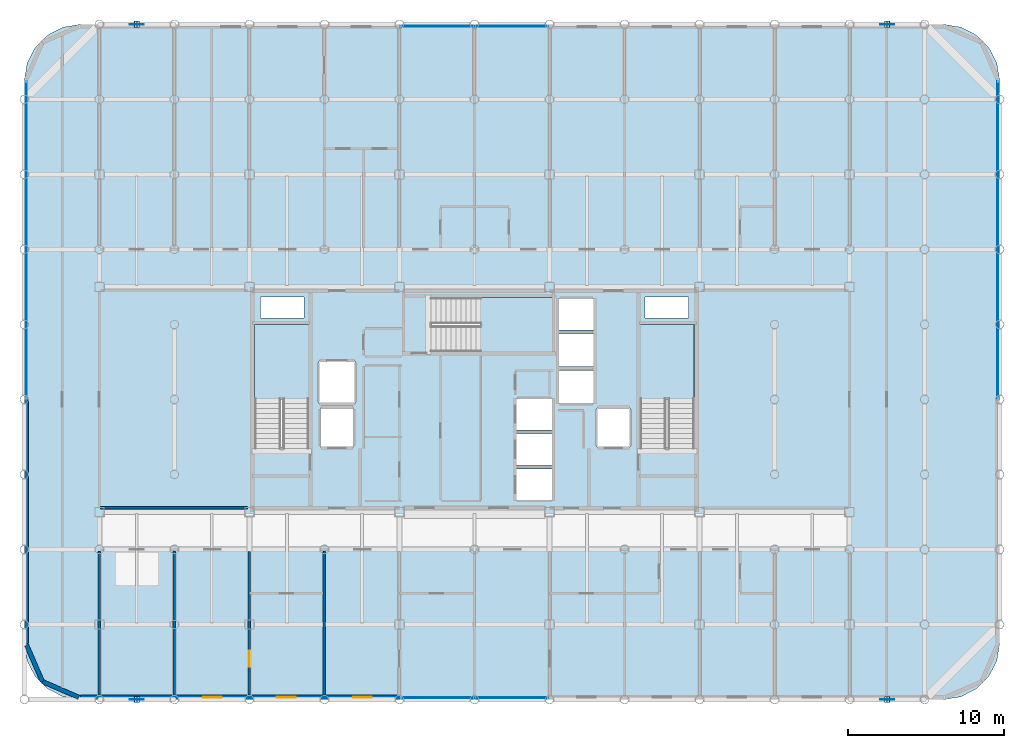
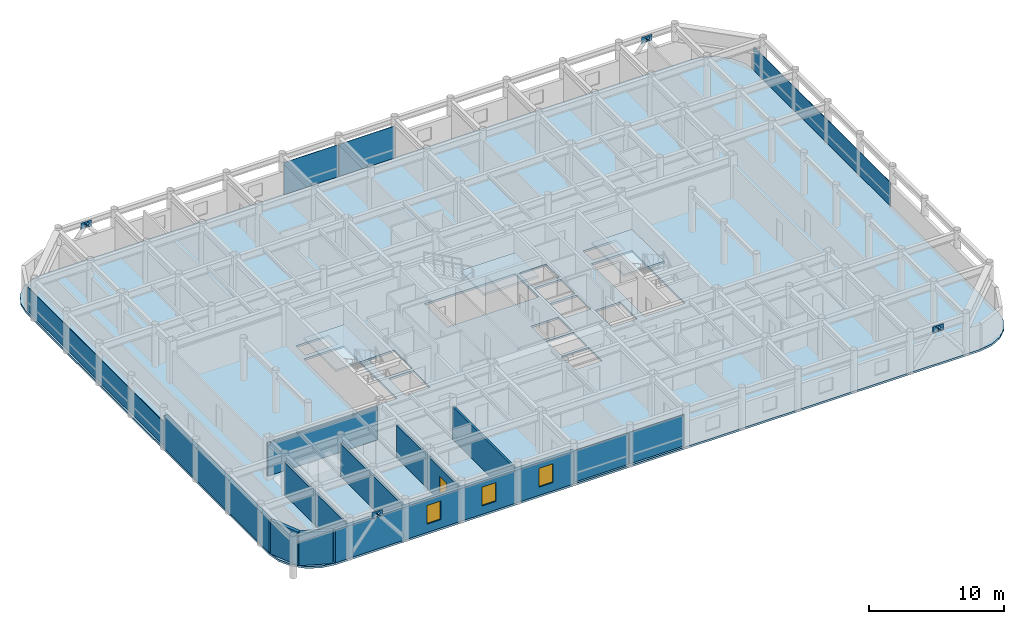
# One storey, part 17 of 24: 18 plates, 9 walls, 4 slabs, 3 windows, 1 door, 4 openings, 7 elements without a shape of their own.
"""IFC4 building model written with IfcOpenShell, lengths in metres."""

from ifc_helpers import new_model, si_unit, direction, frame, frame_2d, origin, origin_2d, place, context, subcontext, project, spatial, polyline, rectangle, outline, extrude, material, layer, layer_set, type_object, element, fill, aggregate, save


model = new_model("IFC4")

# Units and contexts
model_context = context("Model", 3, precision=1e-05, world=origin(), true_north=direction((0.0, 1.0)))
body_context = subcontext(model_context, "Body", "Model", "MODEL_VIEW")
ifc_project = project(units=[si_unit("LENGTHUNIT", "METRE"), si_unit("AREAUNIT", "SQUARE_METRE"), si_unit("VOLUMEUNIT", "CUBIC_METRE"), si_unit("PLANEANGLEUNIT", "RADIAN"), si_unit("MASSUNIT", "GRAM", prefix="KILO")], contexts=[model_context])

# Site, building, storey
site_placement = place(None, origin())
site = spatial("IfcSite", under=ifc_project, at=site_placement, CompositionType="ELEMENT")
building_placement = place(site_placement, origin())
building = spatial("IfcBuilding", under=site, at=building_placement, Name="Kallvorn Hotel Tower", CompositionType="ELEMENT")
storey_placement = place(building_placement, frame((0.0, 0.0, 233.85009765625)))
storey = spatial("IfcBuildingStorey", under=building, at=storey_placement, Name="L58", CompositionType="ELEMENT", Elevation=233.85009765625)

# Curtain wall, plates
ifc_material_1 = material(Name="Thermally broken black-anodised aluminium AA 6063-T6", Category="aluminium")
ifc_layer_1 = layer(ifc_material_1, 0.22998046875)
ifc_layer_set_1 = layer_set([ifc_layer_1], Name="CW_SYS_5_HOTEL_HIGH")
curtain_wall_type = type_object("IfcCurtainWallType", Name="CW_SYS_5_HOTEL_HIGH", PredefinedType="USERDEFINED", material=ifc_layer_set_1)
curtain_wall_1_placement = place(storey_placement, origin())
curtain_wall_1 = element("IfcCurtainWall", 1, at=curtain_wall_1_placement, inside=storey, type_object=curtain_wall_type, Name="L58 Dark-Glass Curtain Wall CW-L58-SC", ObjectType="UNITISED CURTAIN WALL", PredefinedType="USERDEFINED")
ifc_material_2 = material(Name="Triple-glazed low-e acoustic solar-control dark glass", Category="glass")
ifc_layer_2 = layer(ifc_material_2, 0.04150390625)
ifc_layer_set_2 = layer_set([ifc_layer_2], Name="CW_SYS_5_HOTEL_HIGH_PANEL")
plate_type_1 = type_object("IfcPlateType", Name="CW_SYS_5_HOTEL_HIGH_PANEL", PredefinedType="CURTAIN_PANEL", material=ifc_layer_set_2)
plate_1_placement = place(storey_placement, frame((-2.375, -19.080078125, 0.059814453125), z_axis=(0.0, 0.0, 1.0), x_axis=(1.0, 0.0, 0.0)))
plate_1 = element("IfcPlate", 2, at=plate_1_placement, type_object=plate_type_1, Name="CW-L58-SC Vision Glass Panel 00", PredefinedType="CURTAIN_PANEL", context=body_context, shape_type="SweptSolid", body=[
    extrude(rectangle(XDim=4.68994140625, YDim=0.04150390625, at=origin_2d()), origin(), (0.0, 0.0, 1.0), 2.85009765625),
])
plate_2_placement = place(storey_placement, frame((2.375, -19.080078125, 0.059814453125), z_axis=(0.0, 0.0, 1.0), x_axis=(1.0, 0.0, 0.0)))
plate_2 = element("IfcPlate", 3, at=plate_2_placement, type_object=plate_type_1, Name="CW-L58-SC Vision Glass Panel 01", PredefinedType="CURTAIN_PANEL", context=body_context, shape_type="SweptSolid", body=[
    extrude(rectangle(XDim=4.68994140625, YDim=0.04150390625, at=origin_2d()), origin(), (0.0, 0.0, 1.0), 2.85009765625),
])
aggregate(curtain_wall_1, [plate_1, plate_2])

curtain_wall_2_placement = place(storey_placement, origin())
curtain_wall_2 = element("IfcCurtainWall", 4, at=curtain_wall_2_placement, inside=storey, type_object=curtain_wall_type, Name="L58 Dark-Glass Curtain Wall CW-L58-NC", ObjectType="UNITISED CURTAIN WALL", PredefinedType="USERDEFINED")
plate_3_placement = place(storey_placement, frame((-2.375, 23.8798828125, 0.06005859375), z_axis=(0.0, 0.0, 1.0), x_axis=(1.0, 0.0, 0.0)))
plate_3 = element("IfcPlate", 5, at=plate_3_placement, type_object=plate_type_1, Name="CW-L58-NC Vision Glass Panel 00", PredefinedType="CURTAIN_PANEL", context=body_context, shape_type="SweptSolid", body=[
    extrude(rectangle(XDim=4.68994140625, YDim=0.04150390625, at=origin_2d()), origin(), (0.0, 0.0, 1.0), 2.89990234375),
])
plate_4_placement = place(storey_placement, frame((2.375, 23.8798828125, 0.06005859375), z_axis=(0.0, 0.0, 1.0), x_axis=(1.0, 0.0, 0.0)))
plate_4 = element("IfcPlate", 6, at=plate_4_placement, type_object=plate_type_1, Name="CW-L58-NC Vision Glass Panel 01", PredefinedType="CURTAIN_PANEL", context=body_context, shape_type="SweptSolid", body=[
    extrude(rectangle(XDim=4.68994140625, YDim=0.04150390625, at=origin_2d()), origin(), (0.0, 0.0, 1.0), 2.89990234375),
])
aggregate(curtain_wall_2, [plate_3, plate_4])

# Curtain wall, plate
curtain_wall_3_placement = place(storey_placement, origin())
curtain_wall_3 = element("IfcCurtainWall", 7, at=curtain_wall_3_placement, inside=storey, type_object=curtain_wall_type, Name="L58 Dark-Glass Curtain Wall CW-L58-WN", ObjectType="UNITISED CURTAIN WALL", PredefinedType="USERDEFINED")
plate_5_placement = place(storey_placement, frame((-28.679931640625, 10.2099609375, 0.06005859375), z_axis=(0.0, 0.0, 1.0), x_axis=(0.0, 1.0, 0.0)))
plate_5 = element("IfcPlate", 8, at=plate_5_placement, type_object=plate_type_1, Name="CW-L58-WN Vision Glass Panel 00", PredefinedType="CURTAIN_PANEL", context=body_context, shape_type="SweptSolid", body=[
    extrude(rectangle(XDim=20.320068359375, YDim=0.04150390625, at=origin_2d()), origin(), (0.0, 0.0, 1.0), 2.14990234375),
])
aggregate(curtain_wall_3, [plate_5])

curtain_wall_4_placement = place(storey_placement, origin())
curtain_wall_4 = element("IfcCurtainWall", 9, at=curtain_wall_4_placement, inside=storey, type_object=curtain_wall_type, Name="L58 Dark-Glass Curtain Wall CW-L58-EN", ObjectType="UNITISED CURTAIN WALL", PredefinedType="USERDEFINED")
plate_6_placement = place(storey_placement, frame((33.47998046875, 10.2099609375, 0.06005859375), z_axis=(0.0, 0.0, 1.0), x_axis=(0.0, 1.0, 0.0)))
plate_6 = element("IfcPlate", 10, at=plate_6_placement, type_object=plate_type_1, Name="CW-L58-EN Vision Glass Panel 00", PredefinedType="CURTAIN_PANEL", context=body_context, shape_type="SweptSolid", body=[
    extrude(rectangle(XDim=20.320068359375, YDim=0.04150390625, at=origin_2d()), origin(), (0.0, 0.0, 1.0), 2.14990234375),
])
aggregate(curtain_wall_4, [plate_6])

# Plates
ifc_material_3 = material(Name="Structural steel S355JR", Category="steel")
ifc_layer_3 = layer(ifc_material_3, 0.030029296875)
ifc_layer_set_3 = layer_set([ifc_layer_3], Name="PLT_CAP_30")
plate_type_2 = type_object("IfcPlateType", Name="PLT_CAP_30", PredefinedType="SHEET", material=ifc_layer_set_3)
plate_7_placement = place(storey_placement, frame((-21.435546875, -19.40185546875, 3.09228515625), z_axis=(0.620780353498, 0.0, 0.783984536015), x_axis=(0.0, 1.0, 0.0)))
element("IfcPlate", 11, at=plate_7_placement, inside=storey, type_object=plate_type_2, Name="EXO-L58-S1A End Cap Plate B", PredefinedType="SHEET", context=body_context, shape_type="SweptSolid", body=[
    extrude(outline(polyline([(0.0, 0.0), (0.40380859375, 0.0), (0.40380859375, 0.40389877105813043), (0.0, 0.40389877105813043), (0.0, 0.0)])), origin(), (0.0, 0.0, -1.0), 0.030029296875),
])
plate_8_placement = place(storey_placement, frame((-21.764404296875, -18.998046875, 3.09228515625), z_axis=(-0.621074629096, 0.0, 0.78375143068), x_axis=(0.0, -1.0, 0.0)))
element("IfcPlate", 12, at=plate_8_placement, inside=storey, type_object=plate_type_2, Name="EXO-L58-S1B End Cap Plate B", PredefinedType="SHEET", context=body_context, shape_type="SweptSolid", body=[
    extrude(outline(polyline([(0.0, 0.0), (0.40380859375, 0.0), (0.40380859375, 0.4037073970320156), (0.0, 0.4037073970320156), (0.0, 0.0)])), origin(), (0.0, 0.0, -1.0), 0.030029296875),
])
plate_9_placement = place(storey_placement, frame((26.564453125, -19.40185546875, 3.09228515625), z_axis=(0.620780353498, 0.0, 0.783984536015), x_axis=(0.0, 1.0, 0.0)))
element("IfcPlate", 13, at=plate_9_placement, inside=storey, type_object=plate_type_2, Name="EXO-L58-S2A End Cap Plate B", PredefinedType="SHEET", context=body_context, shape_type="SweptSolid", body=[
    extrude(outline(polyline([(0.0, 0.0), (0.40380859375, 0.0), (0.40380859375, 0.40389877105813043), (0.0, 0.40389877105813043), (0.0, 0.0)])), origin(), (0.0, 0.0, -1.0), 0.030029296875),
])
plate_10_placement = place(storey_placement, frame((26.235595703125, -18.998046875, 3.09228515625), z_axis=(-0.621074629096, 0.0, 0.78375143068), x_axis=(0.0, -1.0, 0.0)))
element("IfcPlate", 14, at=plate_10_placement, inside=storey, type_object=plate_type_2, Name="EXO-L58-S2B End Cap Plate B", PredefinedType="SHEET", context=body_context, shape_type="SweptSolid", body=[
    extrude(outline(polyline([(0.0, 0.0), (0.40380859375, 0.0), (0.40380859375, 0.4037073970320156), (0.0, 0.4037073970320156), (0.0, 0.0)])), origin(), (0.0, 0.0, -1.0), 0.030029296875),
])
plate_11_placement = place(storey_placement, frame((-21.435546875, 23.798095703125, 3.09228515625), z_axis=(0.620780353498, 0.0, 0.783984536015), x_axis=(0.0, 1.0, 0.0)))
element("IfcPlate", 15, at=plate_11_placement, inside=storey, type_object=plate_type_2, Name="EXO-L58-N1A End Cap Plate B", PredefinedType="SHEET", context=body_context, shape_type="SweptSolid", body=[
    extrude(outline(polyline([(0.0, 0.0), (0.40380859375, 0.0), (0.40380859375, 0.40389877105813043), (0.0, 0.40389877105813043), (0.0, 0.0)])), origin(), (0.0, 0.0, -1.0), 0.030029296875),
])
plate_12_placement = place(storey_placement, frame((-21.764404296875, 24.201904296875, 3.09228515625), z_axis=(-0.621074629096, 0.0, 0.78375143068), x_axis=(0.0, -1.0, 0.0)))
element("IfcPlate", 16, at=plate_12_placement, inside=storey, type_object=plate_type_2, Name="EXO-L58-N1B End Cap Plate B", PredefinedType="SHEET", context=body_context, shape_type="SweptSolid", body=[
    extrude(outline(polyline([(0.0, 0.0), (0.40380859375, 0.0), (0.40380859375, 0.4037073970320156), (0.0, 0.4037073970320156), (0.0, 0.0)])), origin(), (0.0, 0.0, -1.0), 0.030029296875),
])
plate_13_placement = place(storey_placement, frame((26.564453125, 23.798095703125, 3.09228515625), z_axis=(0.620780353498, 0.0, 0.783984536015), x_axis=(0.0, 1.0, 0.0)))
element("IfcPlate", 17, at=plate_13_placement, inside=storey, type_object=plate_type_2, Name="EXO-L58-N2A End Cap Plate B", PredefinedType="SHEET", context=body_context, shape_type="SweptSolid", body=[
    extrude(outline(polyline([(0.0, 0.0), (0.40380859375, 0.0), (0.40380859375, 0.40389877105813043), (0.0, 0.40389877105813043), (0.0, 0.0)])), origin(), (0.0, 0.0, -1.0), 0.030029296875),
])
plate_14_placement = place(storey_placement, frame((26.235595703125, 24.201904296875, 3.09228515625), z_axis=(-0.621074629096, 0.0, 0.78375143068), x_axis=(0.0, -1.0, 0.0)))
element("IfcPlate", 18, at=plate_14_placement, inside=storey, type_object=plate_type_2, Name="EXO-L58-N2B End Cap Plate B", PredefinedType="SHEET", context=body_context, shape_type="SweptSolid", body=[
    extrude(outline(polyline([(0.0, 0.0), (0.40380859375, 0.0), (0.40380859375, 0.4037073970320156), (0.0, 0.4037073970320156), (0.0, 0.0)])), origin(), (0.0, 0.0, -1.0), 0.030029296875),
])
ifc_material_4 = material(Name="Structural steel S355JR", Category="steel")
ifc_layer_4 = layer(ifc_material_4, 0.034912109375)
ifc_layer_set_4 = layer_set([ifc_layer_4], Name="PLT_GUSSET_35")
plate_type_3 = type_object("IfcPlateType", Name="PLT_GUSSET_35", PredefinedType="USERDEFINED", material=ifc_layer_set_4)
for number, where, z_axis, x_axis, name in (
    (19, (-21.60009765625, -19.199951171875, 2.889892578125), (0.0, 0.0, 1.0), (1.0, 0.0, 0.0), "L58 Exoskeleton Node Gusset S1"),
    (20, (26.39990234375, -19.199951171875, 2.889892578125), (0.0, 0.0, 1.0), (1.0, 0.0, 0.0), "L58 Exoskeleton Node Gusset S2"),
    (21, (-21.60009765625, 24.0, 2.889892578125), (0.0, 0.0, 1.0), (1.0, 0.0, 0.0), "L58 Exoskeleton Node Gusset N1"),
    (22, (26.39990234375, 24.0, 2.889892578125), (0.0, 0.0, 1.0), (1.0, 0.0, 0.0), "L58 Exoskeleton Node Gusset N2"),
):
    element("IfcPlate", number, at=place(storey_placement, frame(where, z_axis=z_axis, x_axis=x_axis)), inside=storey, type_object=plate_type_3, Name=name, ObjectType="GUSSET PLATE", PredefinedType="USERDEFINED", context=body_context, shape_type="SweptSolid", body=[
        extrude(rectangle(XDim=0.89990234375, YDim=0.034912109375, at=origin_2d()), origin(), (0.0, 0.0, 1.0), 0.56005859375),
    ])

# Stair, slab
ifc_material_5 = material(Name="Precast concrete C40/50", Category="concrete")
stair_type = type_object("IfcStairType", Name="STR_CORE_DOGLEG", PredefinedType="HALF_TURN_STAIR", material=ifc_material_5)
stair_1_placement = place(storey_placement, origin())
stair_1 = element("IfcStair", 23, at=stair_1_placement, inside=storey, type_object=stair_type, Name="L58 Exit stair ST1", PredefinedType="HALF_TURN_STAIR")
ifc_material_6 = material(Name="Precast concrete C40/50", Category="concrete")
ifc_layer_5 = layer(ifc_material_6, 0.179931640625)
ifc_layer_set_5 = layer_set([ifc_layer_5], Name="SLB_LANDING_180")
slab_type_1 = type_object("IfcSlabType", Name="SLB_LANDING_180", PredefinedType="LANDING", material=ifc_layer_set_5)
slab_1_placement = place(storey_placement, frame((0.0, 0.0, 1.724853515625)))
slab_1 = element("IfcSlab", 24, at=slab_1_placement, type_object=slab_type_1, Name="ST1 landing 1", PredefinedType="LANDING", context=body_context, shape_type="SweptSolid", body=[
    extrude(outline(polyline([(-10.60009765625, 0.010009765625), (-10.60009765625, 4.800048828125), (-14.06005859375, 4.800048828125), (-14.06005859375, 0.010009765625), (-10.60009765625, 0.010009765625)])), origin(), (0.0, 0.0, 1.0), 0.199951171875),
])
aggregate(stair_1, [slab_1])

stair_2_placement = place(storey_placement, origin())
stair_2 = element("IfcStair", 25, at=stair_2_placement, inside=storey, type_object=stair_type, Name="L58 Exit stair ST2", PredefinedType="HALF_TURN_STAIR")
slab_2_placement = place(storey_placement, frame((0.0, 0.0, 1.724853515625)))
slab_2 = element("IfcSlab", 26, at=slab_2_placement, type_object=slab_type_1, Name="ST2 landing 1", PredefinedType="LANDING", context=body_context, shape_type="SweptSolid", body=[
    extrude(outline(polyline([(14.06005859375, 0.010009765625), (14.06005859375, 4.800048828125), (10.60009765625, 4.800048828125), (10.60009765625, 0.010009765625), (14.06005859375, 0.010009765625)])), origin(), (0.0, 0.0, 1.0), 0.199951171875),
])
aggregate(stair_2, [slab_2])

stair_3_placement = place(storey_placement, origin())
stair_3 = element("IfcStair", 27, at=stair_3_placement, inside=storey, type_object=stair_type, Name="L58 Exit stair ST3", PredefinedType="HALF_TURN_STAIR")
slab_3_placement = place(storey_placement, frame((0.0, 0.0, 1.724853515625)))
slab_3 = element("IfcSlab", 28, at=slab_3_placement, type_object=slab_type_1, Name="ST3 landing 1", PredefinedType="LANDING", context=body_context, shape_type="SweptSolid", body=[
    extrude(outline(polyline([(0.360107421875, 3.050048828125), (5.050048828125, 3.050048828125), (5.050048828125, 6.510009765625), (0.360107421875, 6.510009765625), (0.360107421875, 3.050048828125)])), origin(), (0.0, 0.0, 1.0), 0.199951171875),
])
aggregate(stair_3, [slab_3])

# Slab
ifc_material_7 = material(Name="Concrete C40/50", Category="concrete")
ifc_layer_6 = layer(ifc_material_7, 0.179931640625)
ifc_layer_set_6 = layer_set([ifc_layer_6], Name="SLB_TOWER_180")
slab_type_2 = type_object("IfcSlabType", Name="SLB_TOWER_180", PredefinedType="FLOOR", material=ifc_layer_set_6)
slab_4_placement = place(storey_placement, frame((0.0, 0.0, -0.18017578125)))
element("IfcSlab", 29, at=slab_4_placement, inside=storey, type_object=slab_type_2, Name="L58 Structural Floor Slab", PredefinedType="FLOOR", context=body_context, shape_type="SweptSolid", body=[
    extrude(outline(polyline([(30.0, -19.199951171875), (31.112548828125, -19.023681640625), (32.115966796875, -18.512451171875), (32.91259765625, -17.716064453125), (33.423828125, -16.71240234375), (33.60009765625, -15.60009765625), (33.60009765625, 20.39990234375), (33.423828125, 21.512451171875), (32.91259765625, 22.51611328125), (32.115966796875, 23.3125), (31.112548828125, 23.82373046875), (30.0, 24.0), (-25.199951171875, 24.0), (-26.3125, 23.82373046875), (-27.31591796875, 23.3125), (-28.112548828125, 22.51611328125), (-28.623779296875, 21.512451171875), (-28.800048828125, 20.39990234375), (-28.800048828125, -15.60009765625), (-28.623779296875, -16.71240234375), (-28.112548828125, -17.716064453125), (-27.31591796875, -18.512451171875), (-26.3125, -19.023681640625), (-25.199951171875, -19.199951171875), (30.0, -19.199951171875)]), holes=[polyline([(-10.60009765625, -3.070068359375), (-10.60009765625, 4.800048828125), (-14.06005859375, 4.800048828125), (-14.06005859375, -3.070068359375), (-10.60009765625, -3.070068359375)]), polyline([(14.06005859375, -3.070068359375), (14.06005859375, 4.800048828125), (10.60009765625, 4.800048828125), (10.60009765625, -3.070068359375), (14.06005859375, -3.070068359375)]), polyline([(-2.719970703125, 3.050048828125), (5.050048828125, 3.050048828125), (5.050048828125, 6.510009765625), (-2.719970703125, 6.510009765625), (-2.719970703125, 3.050048828125)]), polyline([(2.64990234375, -6.449951171875), (5.0, -6.449951171875), (5.0, -4.449951171875), (2.64990234375, -4.449951171875), (2.64990234375, -6.449951171875)]), polyline([(2.64990234375, -4.199951171875), (5.0, -4.199951171875), (5.0, -2.199951171875), (2.64990234375, -2.199951171875), (2.64990234375, -4.199951171875)]), polyline([(2.64990234375, -1.949951171875), (5.0, -1.949951171875), (5.0, 0.050048828125), (2.64990234375, 0.050048828125), (2.64990234375, -1.949951171875)]), polyline([(5.35009765625, -0.25), (7.64990234375, -0.25), (7.64990234375, 1.85009765625), (5.35009765625, 1.85009765625), (5.35009765625, -0.25)]), polyline([(5.35009765625, 2.10009765625), (7.64990234375, 2.10009765625), (7.64990234375, 4.199951171875), (5.35009765625, 4.199951171875), (5.35009765625, 2.10009765625)]), polyline([(5.35009765625, 4.449951171875), (7.64990234375, 4.449951171875), (7.64990234375, 6.449951171875), (5.35009765625, 6.449951171875), (5.35009765625, 4.449951171875)]), polyline([(-9.85009765625, -3.050048828125), (-7.75, -3.050048828125), (-7.75, -0.550048828125), (-9.85009765625, -0.550048828125), (-9.85009765625, -3.050048828125)]), polyline([(7.85009765625, -3.050048828125), (9.949951171875, -3.050048828125), (9.949951171875, -0.550048828125), (7.85009765625, -0.550048828125), (7.85009765625, -3.050048828125)]), polyline([(-9.949951171875, -0.25), (-7.64990234375, -0.25), (-7.64990234375, 2.449951171875), (-9.949951171875, 2.449951171875), (-9.949951171875, -0.25)]), polyline([(-13.699951171875, 5.199951171875), (-10.89990234375, 5.199951171875), (-10.89990234375, 6.550048828125), (-13.699951171875, 6.550048828125), (-13.699951171875, 5.199951171875)]), polyline([(10.89990234375, 5.199951171875), (13.699951171875, 5.199951171875), (13.699951171875, 6.550048828125), (10.89990234375, 6.550048828125), (10.89990234375, 5.199951171875)])]), origin(), (0.0, 0.0, 1.0), 0.18017578125),
])

# Wall
ifc_material_8 = material(Name="Fire-rated double-layer acoustic gypsum drywall EI 60")
ifc_layer_7 = layer(ifc_material_8, 0.159912109375)
ifc_layer_set_7 = layer_set([ifc_layer_7], Name="WL_DEMISE_160")
wall_type_1 = type_object("IfcWallType", Name="WL_DEMISE_160", PredefinedType="PARTITIONING", material=ifc_layer_set_7)
wall_1_placement = place(storey_placement, frame((-19.199951171875, -18.909912109375, 0.0), z_axis=(0.0, 0.0, 1.0), x_axis=(0.0, 1.0, 0.0)))
element("IfcWall", 30, at=wall_1_placement, inside=storey, type_object=wall_type_1, Name="L58 Suite 5801 Executive Living Salon Partition", PredefinedType="PARTITIONING", context=body_context, shape_type="SweptSolid", body=[
    extrude(rectangle(XDim=9.18994140625, YDim=0.159912109375, at=frame_2d((4.594970703125, 0.0))), origin(), (0.0, 0.0, 1.0), 2.969970703125),
])

# Wall, opening, door
wall_2_placement = place(storey_placement, frame((-14.39990234375, -18.909912109375, 0.0), z_axis=(0.0, 0.0, 1.0), x_axis=(0.0, 1.0, 0.0)))
wall_2 = element("IfcWall", 31, at=wall_2_placement, inside=storey, type_object=wall_type_1, Name="L58 Suite 5801 Executive Bedroom Partition", PredefinedType="PARTITIONING", context=body_context, shape_type="SweptSolid", body=[
    extrude(rectangle(XDim=9.18994140625, YDim=0.159912109375, at=frame_2d((4.594970703125, 0.0))), origin(), (0.0, 0.0, 1.0), 2.969970703125),
])
opening_1_placement = place(wall_2_placement, frame((1.79296875, 0.0, 0.0)))
opening_1 = element("IfcOpeningElement", 32, at=opening_1_placement, cuts=wall_2, Name="Opening GD2", PredefinedType="OPENING", context=body_context, shape_type="SweptSolid", body=[
    extrude(rectangle(XDim=1.050048828125, YDim=2.199951171875, at=frame_2d((0.52490234375, 1.10009765625))), frame((0.0, 0.094970703125, 0.0), z_axis=(0.0, -1.0, 0.0), x_axis=(1.0, 0.0, 0.0)), (0.0, 0.0, 1.0), 0.18994140625),
])
ifc_material_9 = material(Name="Solid-core walnut veneer fire-rated timber door leaf", Category="wood")
door_type = type_object("IfcDoorType", Name="DR_SUITE_1050x2200", OperationType="NOTDEFINED", PredefinedType="DOOR", material=ifc_material_9)
door_placement = place(opening_1_placement, origin())
door = element("IfcDoor", 33, at=door_placement, inside=storey, type_object=door_type, Name="L58 Suite 5801 Executive Bedroom Door", OperationType="SINGLE_SWING_RIGHT", OverallHeight=2.199951171875, OverallWidth=1.050048828125, PredefinedType="DOOR", context=body_context, shape_type="SweptSolid", body=[
    extrude(rectangle(XDim=1.050048828125, YDim=2.199951171875, at=frame_2d((0.52490234375, 1.10009765625))), frame((0.0, 0.02490234375, 0.0), z_axis=(0.0, -1.0, 0.0), x_axis=(1.0, 0.0, 0.0)), (0.0, 0.0, 1.0), 0.050048828125),
])
fill(opening_1, door)

# Walls
wall_3_placement = place(storey_placement, frame((-9.60009765625, -18.909912109375, 0.0), z_axis=(0.0, 0.0, 1.0), x_axis=(0.0, 1.0, 0.0)))
element("IfcWall", 34, at=wall_3_placement, inside=storey, type_object=wall_type_1, Name="L58 Suite 5801 Executive Bedroom Partition", PredefinedType="PARTITIONING", context=body_context, shape_type="SweptSolid", body=[
    extrude(rectangle(XDim=9.18994140625, YDim=0.159912109375, at=frame_2d((4.594970703125, 0.0))), origin(), (0.0, 0.0, 1.0), 2.969970703125),
])
ifc_material_10 = material(Name="Precast basalt-clad insulated concrete wall C40/50", Category="masonry")
ifc_layer_8 = layer(ifc_material_10, 0.280029296875)
ifc_layer_set_8 = layer_set([ifc_layer_8], Name="WL_EXT_LOGGIA_280")
wall_type_2 = type_object("IfcWallType", Name="WL_EXT_LOGGIA_280", PredefinedType="SOLIDWALL", material=ifc_layer_set_8)
wall_4_placement = place(storey_placement, frame((-28.657958984375, -15.720703125, 0.0), z_axis=(0.0, 0.0, 1.0), x_axis=(0.398792985289, -0.917040977756, 0.0)))
element("IfcWall", 35, at=wall_4_placement, inside=storey, type_object=wall_type_2, Name="L58 Rounded Corner Exterior Wall SW1", PredefinedType="SOLIDWALL", context=body_context, shape_type="SweptSolid", body=[
    extrude(rectangle(XDim=2.536376953125, YDim=0.280029296875, at=frame_2d((1.26806640625, 0.0))), origin(), (0.0, 0.0, 1.0), 3.02001953125),
])
wall_5_placement = place(storey_placement, frame((-27.646484375, -18.046630859375, 0.0), z_axis=(0.0, 0.0, 1.0), x_axis=(0.917060872934, -0.398747232384, 0.0)))
element("IfcWall", 36, at=wall_5_placement, inside=storey, type_object=wall_type_2, Name="L58 Rounded Corner Exterior Wall SW2", PredefinedType="SOLIDWALL", context=body_context, shape_type="SweptSolid", body=[
    extrude(rectangle(XDim=2.5361328125, YDim=0.280029296875, at=frame_2d((1.26806640625, 0.0))), origin(), (0.0, 0.0, 1.0), 2.969970703125),
])

# Wall, openings, windows
wall_6_placement = place(storey_placement, frame((-25.199951171875, -19.06005859375, 0.0), z_axis=(0.0, 0.0, 1.0), x_axis=(1.0, 0.0, 0.0)))
wall_6 = element("IfcWall", 37, at=wall_6_placement, inside=storey, type_object=wall_type_2, Name="L58 Exterior Envelope Wall EW-L58-SW", PredefinedType="SOLIDWALL", context=body_context, shape_type="SweptSolid", body=[
    extrude(rectangle(XDim=20.449951171875, YDim=0.280029296875, at=frame_2d((10.22509765625, 0.0))), origin(), (0.0, 0.0, 1.0), 2.969970703125),
])
opening_2_placement = place(wall_6_placement, frame((7.840087890625, 0.0, 0.75)))
opening_2 = element("IfcOpeningElement", 38, at=opening_2_placement, cuts=wall_6, Name="Opening W06", PredefinedType="OPENING", context=body_context, shape_type="SweptSolid", body=[
    extrude(rectangle(XDim=1.199951171875, YDim=1.699951171875, at=frame_2d((0.60009765625, 0.85009765625))), frame((0.0, 0.155029296875, 0.0), z_axis=(0.0, -1.0, 0.0), x_axis=(1.0, 0.0, 0.0)), (0.0, 0.0, 1.0), 0.31005859375),
])
opening_3_placement = place(wall_6_placement, frame((12.56005859375, 0.0, 0.75)))
opening_3 = element("IfcOpeningElement", 39, at=opening_3_placement, cuts=wall_6, Name="Opening W06", PredefinedType="OPENING", context=body_context, shape_type="SweptSolid", body=[
    extrude(rectangle(XDim=1.199951171875, YDim=1.699951171875, at=frame_2d((0.60009765625, 0.85009765625))), frame((0.0, 0.155029296875, 0.0), z_axis=(0.0, -1.0, 0.0), x_axis=(1.0, 0.0, 0.0)), (0.0, 0.0, 1.0), 0.31005859375),
])
opening_4_placement = place(wall_6_placement, frame((17.43994140625, 0.0, 0.75)))
opening_4 = element("IfcOpeningElement", 40, at=opening_4_placement, cuts=wall_6, Name="Opening W06", PredefinedType="OPENING", context=body_context, shape_type="SweptSolid", body=[
    extrude(rectangle(XDim=1.199951171875, YDim=1.699951171875, at=frame_2d((0.60009765625, 0.85009765625))), frame((0.0, 0.155029296875, 0.0), z_axis=(0.0, -1.0, 0.0), x_axis=(1.0, 0.0, 0.0)), (0.0, 0.0, 1.0), 0.31005859375),
])
ifc_material_11 = material(Name="Triple-glazed low-e acoustic solar-control dark glass", Category="glass")
window_type = type_object("IfcWindowType", Name="WN_HTL_1200x1700", PartitioningType="SINGLE_PANEL", PredefinedType="WINDOW", material=ifc_material_11)
window_1_placement = place(opening_2_placement, origin())
window_1 = element("IfcWindow", 41, at=window_1_placement, inside=storey, type_object=window_type, Name="L58 Guestroom Exterior Window 03", OverallHeight=1.699951171875, OverallWidth=1.199951171875, PartitioningType="SINGLE_PANEL", PredefinedType="WINDOW", context=body_context, shape_type="SweptSolid", body=[
    extrude(rectangle(XDim=1.199951171875, YDim=1.699951171875, at=frame_2d((0.60009765625, 0.85009765625))), frame((0.0, 0.030029296875, 0.0), z_axis=(0.0, -1.0, 0.0), x_axis=(1.0, 0.0, 0.0)), (0.0, 0.0, 1.0), 0.06005859375),
])
fill(opening_2, window_1)
window_2_placement = place(opening_3_placement, origin())
window_2 = element("IfcWindow", 42, at=window_2_placement, inside=storey, type_object=window_type, Name="L58 Guestroom Exterior Window 04", OverallHeight=1.699951171875, OverallWidth=1.199951171875, PartitioningType="SINGLE_PANEL", PredefinedType="WINDOW", context=body_context, shape_type="SweptSolid", body=[
    extrude(rectangle(XDim=1.199951171875, YDim=1.699951171875, at=frame_2d((0.60009765625, 0.85009765625))), frame((0.0, 0.030029296875, 0.0), z_axis=(0.0, -1.0, 0.0), x_axis=(1.0, 0.0, 0.0)), (0.0, 0.0, 1.0), 0.06005859375),
])
fill(opening_3, window_2)
window_3_placement = place(opening_4_placement, origin())
window_3 = element("IfcWindow", 43, at=window_3_placement, inside=storey, type_object=window_type, Name="L58 Guestroom Exterior Window 05", OverallHeight=1.699951171875, OverallWidth=1.199951171875, PartitioningType="SINGLE_PANEL", PredefinedType="WINDOW", context=body_context, shape_type="SweptSolid", body=[
    extrude(rectangle(XDim=1.199951171875, YDim=1.699951171875, at=frame_2d((0.60009765625, 0.85009765625))), frame((0.0, 0.030029296875, 0.0), z_axis=(0.0, -1.0, 0.0), x_axis=(1.0, 0.0, 0.0)), (0.0, 0.0, 1.0), 0.06005859375),
])
fill(opening_4, window_3)

# Walls
wall_7_placement = place(storey_placement, frame((-28.659912109375, -15.60009765625, 0.0), z_axis=(0.0, 0.0, 1.0), x_axis=(0.0, 1.0, 0.0)))
element("IfcWall", 44, at=wall_7_placement, inside=storey, type_object=wall_type_2, Name="L58 Exterior Envelope Wall EW-L58-WS", PredefinedType="SOLIDWALL", context=body_context, shape_type="SweptSolid", body=[
    extrude(rectangle(XDim=15.580078125, YDim=0.280029296875, at=frame_2d((7.7900390625, 0.0))), origin(), (0.0, 0.0, 1.0), 2.969970703125),
])
ifc_material_12 = material(Name="Fire-rated double-layer acoustic gypsum drywall EI 60")
ifc_layer_9 = layer(ifc_material_12, 0.14990234375)
ifc_layer_set_9 = layer_set([ifc_layer_9], Name="WL_PART_150")
wall_type_3 = type_object("IfcWallType", Name="WL_PART_150", PredefinedType="PARTITIONING", material=ifc_layer_set_9)
wall_8_placement = place(storey_placement, frame((-23.919921875, -6.919921875, 0.0), z_axis=(0.0, 0.0, 1.0), x_axis=(1.0, 0.0, 0.0)))
element("IfcWall", 45, at=wall_8_placement, inside=storey, type_object=wall_type_3, Name="L58 L58 High-Zone Inner West Club Bar Partition", PredefinedType="PARTITIONING", context=body_context, shape_type="SweptSolid", body=[
    extrude(rectangle(XDim=9.39990234375, YDim=0.14990234375, at=frame_2d((4.699951171875, 0.0))), origin(), (0.0, 0.0, 1.0), 2.969970703125),
])
wall_9_placement = place(storey_placement, frame((-24.0, -18.909912109375, 0.0), z_axis=(0.0, 0.0, 1.0), x_axis=(0.0, 1.0, 0.0)))
element("IfcWall", 46, at=wall_9_placement, inside=storey, type_object=wall_type_3, Name="L58 L58 High-Zone South-West Tea Bar Partition", PredefinedType="PARTITIONING", context=body_context, shape_type="SweptSolid", body=[
    extrude(rectangle(XDim=9.18994140625, YDim=0.14990234375, at=frame_2d((4.594970703125, 0.0))), origin(), (0.0, 0.0, 1.0), 2.969970703125),
])

save(model, "model.ifc")
